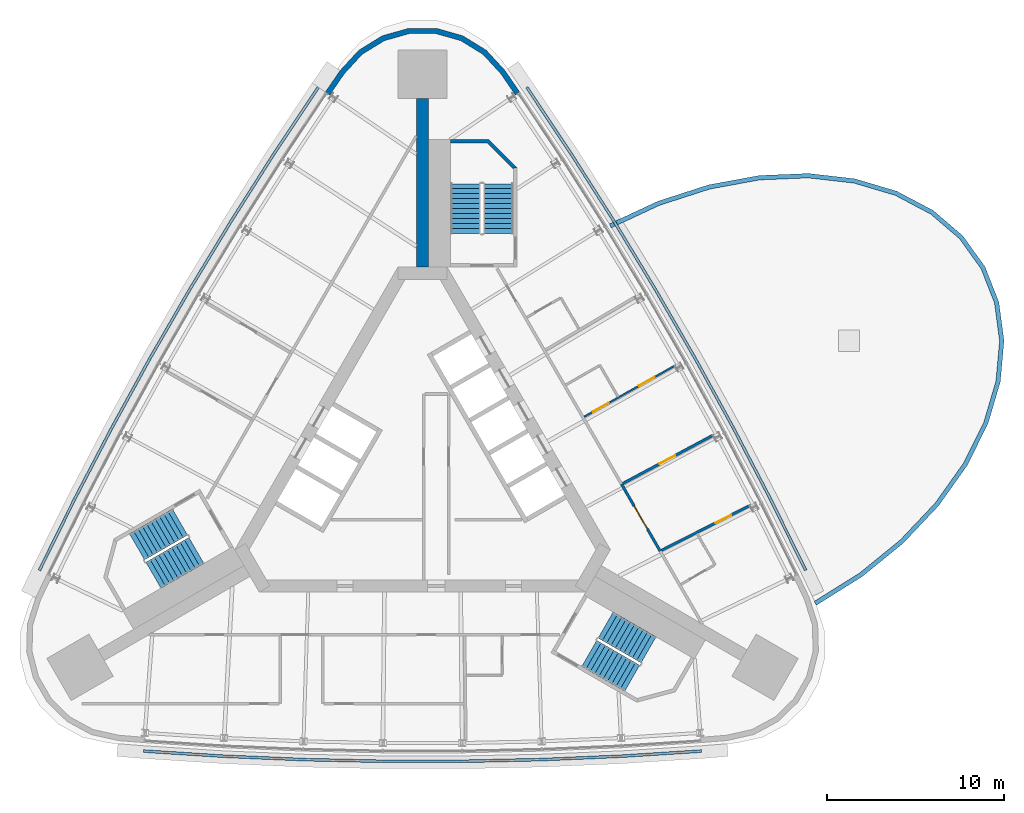
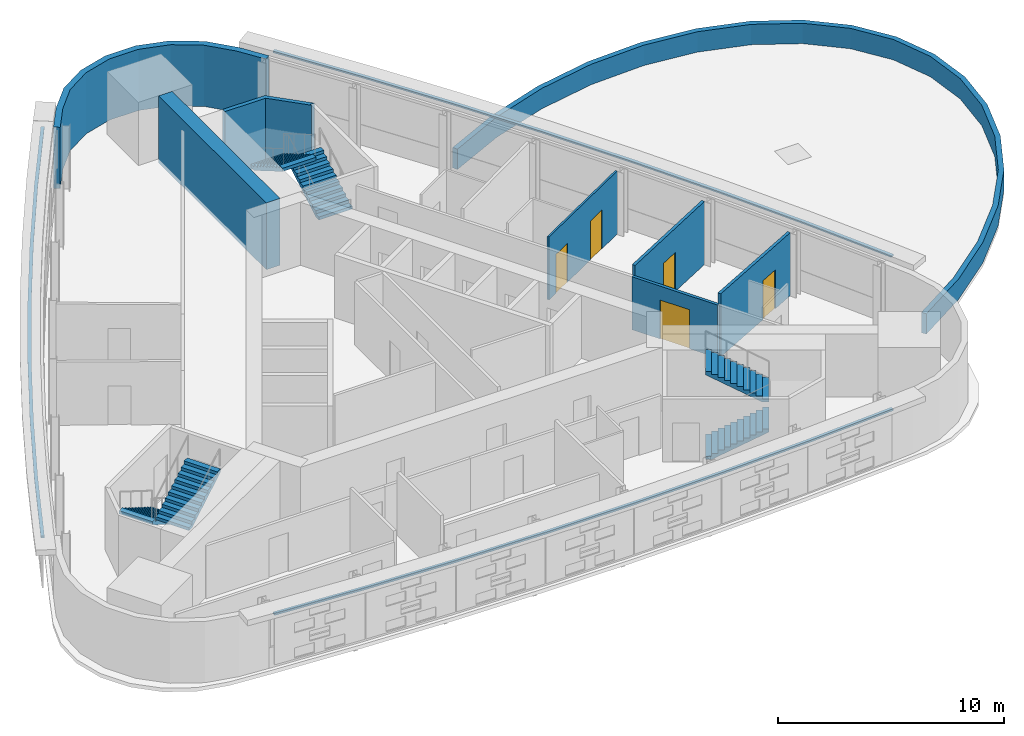
# One storey, part 10 of 12: 8 walls, 6 stair flights, 5 doors, 3 discrete accessories, 5 openings, 3 elements without a shape of their own.
"""IFC4 building model written with IfcOpenShell, lengths in metres."""

from ifc_helpers import new_model, si_unit, direction, frame, frame_2d, origin, place, context, subcontext, project, spatial, polyline, rectangle, outline, extrude, material, layer, layer_set, type_object, element, fill, aggregate, save


model = new_model("IFC4")

# Units and contexts
model_context = context("Model", 3, precision=1e-05, world=origin(), true_north=direction((0.0, 1.0)))
body_context = subcontext(model_context, "Body", "Model", "MODEL_VIEW")
ifc_project = project(units=[si_unit("LENGTHUNIT", "METRE"), si_unit("AREAUNIT", "SQUARE_METRE"), si_unit("VOLUMEUNIT", "CUBIC_METRE"), si_unit("PLANEANGLEUNIT", "RADIAN"), si_unit("MASSUNIT", "GRAM", prefix="KILO")], contexts=[model_context])

# Site, building, storey
site_placement = place(None, origin())
site = spatial("IfcSite", under=ifc_project, at=site_placement, CompositionType="ELEMENT")
building_placement = place(site_placement, origin())
building = spatial("IfcBuilding", under=site, at=building_placement, Name="Noor Cloister Tower", CompositionType="ELEMENT")
storey_placement = place(building_placement, frame((0.0, 0.0, 185.10009765625)))
storey = spatial("IfcBuildingStorey", under=building, at=storey_placement, Name="L47", CompositionType="ELEMENT", Elevation=185.10009765625)

# Wall
ifc_material_1 = material(Name="Concrete C70/85", Category="concrete")
ifc_layer_1 = layer(ifc_material_1, 0.699951171875)
ifc_layer_set_1 = layer_set([ifc_layer_1], Name="Buttress wall 700 C70/85")
wall_type_1 = type_object("IfcWallType", Name="Buttress wall 700 C70/85", PredefinedType="SHEAR", material=ifc_layer_set_1)
wall_1_placement = place(storey_placement, frame((0.0, 11.456298828125, -0.2001953125), z_axis=(0.0, 0.0, 1.0), x_axis=(0.0, 1.0, 0.0)))
element("IfcWall", 1, at=wall_1_placement, inside=storey, type_object=wall_type_1, Name="Buttress wall N L47", PredefinedType="SHEAR", context=body_context, shape_type="SweptSolid", body=[
    extrude(rectangle(XDim=9.521728515625, YDim=0.699951171875, at=frame_2d((4.7607421875, 0.0))), origin(), (0.0, 0.0, 1.0), 3.60009765625),
])

# Wall, opening, door
ifc_material_2 = material(Name="Gypsum board partition on steel studs, 150 mm", Category="steel")
ifc_layer_2 = layer(ifc_material_2, 0.14990234375)
ifc_layer_set_2 = layer_set([ifc_layer_2], Name="Flat wall 150")
wall_type_2 = type_object("IfcWallType", Name="Flat wall 150", PredefinedType="PARTITIONING", material=ifc_layer_set_2)
wall_2_placement = place(storey_placement, frame((18.517822265625, -2.01904296875, 0.0), z_axis=(0.0, 0.0, 1.0), x_axis=(-0.891548029597, -0.452926164978, 0.0)))
wall_2 = element("IfcWall", 2, at=wall_2_placement, inside=storey, type_object=wall_type_2, Name="Wall L47-W03", PredefinedType="PARTITIONING", context=body_context, shape_type="SweptSolid", body=[
    extrude(rectangle(XDim=5.63232421875, YDim=0.14990234375, at=frame_2d((2.816162109375, 0.0))), origin(), (0.0, 0.0, 1.0), 3.39990234375),
])
opening_1_placement = place(wall_2_placement, frame((1.201904296875, 0.0, 0.0)))
opening_1 = element("IfcOpeningElement", 3, at=opening_1_placement, cuts=wall_2, Name="Opening L47-003", PredefinedType="OPENING", context=body_context, shape_type="SweptSolid", body=[
    extrude(rectangle(XDim=1.0, YDim=2.10009765625, at=frame_2d((0.5, 1.050048828125))), frame((0.0, 0.0849609375, 0.0), z_axis=(0.0, -1.0, 0.0), x_axis=(1.0, 0.0, 0.0)), (0.0, 0.0, 1.0), 0.169921875),
])
ifc_material_3 = material(Name="Timber door leaf with steel frame", Category="steel")
door_type_1 = type_object("IfcDoorType", Name="Flat entrance door 1000", OperationType="NOTDEFINED", PredefinedType="DOOR", material=ifc_material_3)
door_1_placement = place(opening_1_placement, origin())
door_1 = element("IfcDoor", 4, at=door_1_placement, inside=storey, type_object=door_type_1, Name="Door L47-003", OperationType="SINGLE_SWING_LEFT", OverallHeight=2.10009765625, OverallWidth=1.0, PredefinedType="DOOR", context=body_context, shape_type="SweptSolid", body=[
    extrude(rectangle(XDim=1.0, YDim=2.10009765625, at=frame_2d((0.5, 1.050048828125))), frame((0.0, 0.02490234375, 0.0), z_axis=(0.0, -1.0, 0.0), x_axis=(1.0, 0.0, 0.0)), (0.0, 0.0, 1.0), 0.050048828125),
])
fill(opening_1, door_1)

wall_3_placement = place(storey_placement, frame((16.43994140625, 1.95556640625, 0.0), z_axis=(0.0, 0.0, 1.0), x_axis=(-0.881627849584, -0.471945266783, 0.0)))
wall_3 = element("IfcWall", 5, at=wall_3_placement, inside=storey, type_object=wall_type_2, Name="Wall L47-W04", PredefinedType="PARTITIONING", context=body_context, shape_type="SweptSolid", body=[
    extrude(rectangle(XDim=5.81494140625, YDim=0.14990234375, at=frame_2d((2.907470703125, 0.0))), origin(), (0.0, 0.0, 1.0), 3.39990234375),
])
opening_2_placement = place(wall_3_placement, frame((2.445068359375, 0.0, 0.0)))
opening_2 = element("IfcOpeningElement", 6, at=opening_2_placement, cuts=wall_3, Name="Opening L47-006", PredefinedType="OPENING", context=body_context, shape_type="SweptSolid", body=[
    extrude(rectangle(XDim=1.0, YDim=2.10009765625, at=frame_2d((0.5, 1.050048828125))), frame((0.0, 0.0849609375, 0.0), z_axis=(0.0, -1.0, 0.0), x_axis=(1.0, 0.0, 0.0)), (0.0, 0.0, 1.0), 0.169921875),
])
door_2_placement = place(opening_2_placement, origin())
door_2 = element("IfcDoor", 7, at=door_2_placement, inside=storey, type_object=door_type_1, Name="Door L47-006", OperationType="SINGLE_SWING_RIGHT", OverallHeight=2.10009765625, OverallWidth=1.0, PredefinedType="DOOR", context=body_context, shape_type="SweptSolid", body=[
    extrude(rectangle(XDim=1.0, YDim=2.10009765625, at=frame_2d((0.5, 1.050048828125))), frame((0.0, 0.02490234375, 0.0), z_axis=(0.0, -1.0, 0.0), x_axis=(1.0, 0.0, 0.0)), (0.0, 0.0, 1.0), 0.050048828125),
])
fill(opening_2, door_2)

wall_4_placement = place(storey_placement, frame((13.429443359375, -4.604248046875, 0.0), z_axis=(0.0, 0.0, 1.0), x_axis=(-0.499995208485, 0.866028170149, 0.0)))
wall_4 = element("IfcWall", 8, at=wall_4_placement, inside=storey, type_object=wall_type_2, Name="Wall L47-W05", PredefinedType="PARTITIONING", context=body_context, shape_type="SweptSolid", body=[
    extrude(rectangle(XDim=4.36474609375, YDim=0.14990234375, at=frame_2d((2.182373046875, 0.0))), origin(), (0.0, 0.0, 1.0), 2.851806640625),
])
opening_3_placement = place(wall_4_placement, frame((1.432373046875, 0.0, 0.0)))
opening_3 = element("IfcOpeningElement", 9, at=opening_3_placement, cuts=wall_4, Name="Opening L47-001", PredefinedType="OPENING", context=body_context, shape_type="SweptSolid", body=[
    extrude(rectangle(XDim=1.5, YDim=2.10009765625, at=frame_2d((0.75, 1.050048828125))), frame((0.0, 0.0849609375, 0.0), z_axis=(0.0, -1.0, 0.0), x_axis=(1.0, 0.0, 0.0)), (0.0, 0.0, 1.0), 0.169921875),
])
ifc_material_4 = material(Name="Timber door leaf with steel frame", Category="steel")
door_type_2 = type_object("IfcDoorType", Name="Double door 1500 FD60", OperationType="NOTDEFINED", PredefinedType="DOOR", material=ifc_material_4)
door_3_placement = place(opening_3_placement, origin())
door_3 = element("IfcDoor", 10, at=door_3_placement, inside=storey, type_object=door_type_2, Name="Door L47-001", OperationType="DOUBLE_DOOR_SINGLE_SWING", OverallHeight=2.10009765625, OverallWidth=1.5, PredefinedType="DOOR", context=body_context, shape_type="SweptSolid", body=[
    extrude(rectangle(XDim=1.5, YDim=2.10009765625, at=frame_2d((0.75, 1.050048828125))), frame((0.0, 0.02490234375, 0.0), z_axis=(0.0, -1.0, 0.0), x_axis=(1.0, 0.0, 0.0)), (0.0, 0.0, 1.0), 0.050048828125),
])
fill(opening_3, door_3)

# Walls
ifc_material_5 = material(Name="Limestone", Category="masonry")
ifc_layer_3 = layer(ifc_material_5, 0.300048828125)
ifc_layer_set_3 = layer_set([ifc_layer_3], Name="Limestone cladding 300")
wall_type_3 = type_object("IfcWallType", Name="Limestone cladding 300", PredefinedType="NOTDEFINED", material=ifc_layer_set_3)
wall_5_placement = place(storey_placement, origin())
element("IfcWall", 11, at=wall_5_placement, inside=storey, type_object=wall_type_3, Name="Limestone pier cladding L47 3.1", PredefinedType="NOTDEFINED", context=body_context, shape_type="SweptSolid", body=[
    extrude(outline(polyline([(5.494384765625, 21.341552734375), (4.659423828125, 22.556884765625), (3.60498046875, 23.70361328125), (2.278076171875, 24.52001953125), (0.779052734375, 24.9443359375), (-0.779052734375, 24.9443359375), (-2.278076171875, 24.52001953125), (-3.60498046875, 23.70361328125), (-4.659423828125, 22.556884765625), (-5.494384765625, 21.341552734375), (-5.2470703125, 21.171875), (-4.424072265625, 22.369384765625), (-3.412353515625, 23.469970703125), (-2.15625, 24.24267578125), (-0.7373046875, 24.644287109375), (0.7373046875, 24.644287109375), (2.15625, 24.24267578125), (3.412353515625, 23.469970703125), (4.424072265625, 22.369384765625), (5.2470703125, 21.171875), (5.494384765625, 21.341552734375)])), origin(), (0.0, 0.0, 1.0), 3.2998046875),
])
ifc_material_6 = material(Name="Limestone", Category="masonry")
ifc_layer_4 = layer(ifc_material_6, 0.25)
ifc_layer_set_4 = layer_set([ifc_layer_4], Name="Limestone parapet 250")
wall_type_4 = type_object("IfcWallType", Name="Limestone parapet 250", PredefinedType="PARAPET", material=ifc_layer_set_4)
wall_6_placement = place(storey_placement, origin())
element("IfcWall", 12, at=wall_6_placement, inside=storey, type_object=wall_type_4, Name="Sky bar 3 roof parapet", PredefinedType="PARAPET", context=body_context, shape_type="SweptSolid", body=[
    extrude(outline(polyline([(22.264892578125, -7.662353515625), (24.84619140625, -6.048095703125), (27.17138671875, -4.155517578125), (29.16943359375, -2.0419921875), (30.780029296875, 0.22802734375), (31.953857421875, 2.5859375), (32.65576171875, 4.959716796875), (32.86376953125, 7.27734375), (32.572021484375, 9.468505859375), (31.7890625, 11.466552734375), (30.5390625, 13.210693359375), (28.85986328125, 14.648193359375), (26.80224609375, 15.735107421875), (24.428955078125, 16.4384765625), (21.81201171875, 16.737060546875), (19.03125, 16.62158203125), (16.170654296875, 16.095947265625), (13.3173828125, 15.175537109375), (10.55810546875, 13.888671875), (10.663818359375, 13.662109375), (13.408935546875, 14.9423828125), (16.23193359375, 15.85302734375), (19.05908203125, 16.37255859375), (21.802978515625, 16.486572265625), (24.37890625, 16.192626953125), (26.70751953125, 15.50244140625), (28.718505859375, 14.440185546875), (30.353515625, 13.04052734375), (31.56787109375, 11.34619140625), (32.328125, 9.405517578125), (32.6123046875, 7.27197265625), (32.408935546875, 5.0068359375), (31.720458984375, 2.677734375), (30.56494140625, 0.35693359375), (28.975830078125, -1.883056640625), (27.0009765625, -3.971923828125), (24.700439453125, -5.84423828125), (22.13232421875, -7.4501953125), (22.264892578125, -7.662353515625)])), origin(), (0.0, 0.0, 1.0), 1.099853515625),
])

# Wall, openings, doors
ifc_material_7 = material(Name="Gypsum board partition on steel studs, 100 mm", Category="steel")
ifc_layer_5 = layer(ifc_material_7, 0.10009765625)
ifc_layer_set_5 = layer_set([ifc_layer_5], Name="Partition 100")
wall_type_5 = type_object("IfcWallType", Name="Partition 100", PredefinedType="PARTITIONING", material=ifc_layer_set_5)
wall_7_placement = place(storey_placement, frame((14.27734375, 5.884521484375, 0.0), z_axis=(0.0, 0.0, 1.0), x_axis=(-0.871335785584, -0.490687220907, 0.0)))
wall_7 = element("IfcWall", 13, at=wall_7_placement, inside=storey, type_object=wall_type_5, Name="Wall L47-W08", PredefinedType="PARTITIONING", context=body_context, shape_type="SweptSolid", body=[
    extrude(rectangle(XDim=5.90380859375, YDim=0.10009765625, at=frame_2d((2.951904296875, 0.0))), origin(), (0.0, 0.0, 1.0), 3.39990234375),
])
opening_4_placement = place(wall_7_placement, frame((1.33935546875, 0.0, 0.0)))
opening_4 = element("IfcOpeningElement", 14, at=opening_4_placement, cuts=wall_7, Name="Opening L47-004", PredefinedType="OPENING", context=body_context, shape_type="SweptSolid", body=[
    extrude(rectangle(XDim=1.0, YDim=2.10009765625, at=frame_2d((0.5, 1.050048828125))), frame((0.0, 0.06005859375, 0.0), z_axis=(0.0, -1.0, 0.0), x_axis=(1.0, 0.0, 0.0)), (0.0, 0.0, 1.0), 0.1201171875),
])
opening_5_placement = place(wall_7_placement, frame((4.328857421875, 0.0, 0.0)))
opening_5 = element("IfcOpeningElement", 15, at=opening_5_placement, cuts=wall_7, Name="Opening L47-005", PredefinedType="OPENING", context=body_context, shape_type="SweptSolid", body=[
    extrude(rectangle(XDim=1.0, YDim=2.10009765625, at=frame_2d((0.5, 1.050048828125))), frame((0.0, 0.06005859375, 0.0), z_axis=(0.0, -1.0, 0.0), x_axis=(1.0, 0.0, 0.0)), (0.0, 0.0, 1.0), 0.1201171875),
])
ifc_material_8 = material(Name="Timber door leaf with steel frame", Category="steel")
door_type_3 = type_object("IfcDoorType", Name="Interior door 1000", OperationType="NOTDEFINED", PredefinedType="DOOR", material=ifc_material_8)
door_4_placement = place(opening_4_placement, origin())
door_4 = element("IfcDoor", 16, at=door_4_placement, inside=storey, type_object=door_type_3, Name="Door L47-004", OperationType="SINGLE_SWING_RIGHT", OverallHeight=2.10009765625, OverallWidth=1.0, PredefinedType="DOOR", context=body_context, shape_type="SweptSolid", body=[
    extrude(rectangle(XDim=1.0, YDim=2.10009765625, at=frame_2d((0.5, 1.050048828125))), frame((0.0, 0.02490234375, 0.0), z_axis=(0.0, -1.0, 0.0), x_axis=(1.0, 0.0, 0.0)), (0.0, 0.0, 1.0), 0.050048828125),
])
fill(opening_4, door_4)
door_5_placement = place(opening_5_placement, origin())
door_5 = element("IfcDoor", 17, at=door_5_placement, inside=storey, type_object=door_type_3, Name="Door L47-005", OperationType="SINGLE_SWING_LEFT", OverallHeight=2.10009765625, OverallWidth=1.0, PredefinedType="DOOR", context=body_context, shape_type="SweptSolid", body=[
    extrude(rectangle(XDim=1.0, YDim=2.10009765625, at=frame_2d((0.5, 1.050048828125))), frame((0.0, 0.02490234375, 0.0), z_axis=(0.0, -1.0, 0.0), x_axis=(1.0, 0.0, 0.0)), (0.0, 0.0, 1.0), 0.050048828125),
])
fill(opening_5, door_5)

# Wall
ifc_material_9 = material(Name="Concrete C70/85", Category="concrete")
wall_type_6 = type_object("IfcWallType", Name="Stair far end wall C70/85", PredefinedType="SHEAR", material=ifc_material_9)
wall_8_placement = place(storey_placement, frame((0.0, 0.0, -0.2001953125)))
element("IfcWall", 18, at=wall_8_placement, inside=storey, type_object=wall_type_6, Name="Stair enclosure wall ST1 L47 far end", PredefinedType="SHEAR", context=body_context, shape_type="SweptSolid", body=[
    extrude(outline(polyline([(5.335693359375, 17.056396484375), (3.735595703125, 18.656494140625), (1.585693359375, 18.656494140625), (1.585693359375, 18.456298828125), (3.65283203125, 18.456298828125), (5.135498046875, 16.9736328125), (5.135498046875, 17.056396484375), (5.135498046875, 17.056396484375), (5.135498046875, 17.056396484375), (5.135498046875, 17.056396484375), (5.135498046875, 17.056396484375), (5.135498046875, 17.056396484375), (5.135498046875, 17.056396484375), (5.135498046875, 17.056396484375), (5.135498046875, 17.056396484375), (5.135498046875, 17.056396484375), (5.135498046875, 17.056396484375), (5.135498046875, 17.056396484375), (5.135498046875, 17.056396484375), (5.135498046875, 17.056396484375), (5.135498046875, 17.056396484375), (5.135498046875, 17.056396484375), (5.135498046875, 17.056396484375), (5.335693359375, 17.056396484375)])), origin(), (0.0, 0.0, 1.0), 3.60009765625),
])

# Stair, stair flights
ifc_material_10 = material(Name="Concrete C40/50", Category="concrete")
stair_type = type_object("IfcStairType", Name="Exit stair 22 risers", PredefinedType="HALF_TURN_STAIR", material=ifc_material_10)
stair_1_placement = place(storey_placement, origin())
stair_1 = element("IfcStair", 19, at=stair_1_placement, inside=storey, type_object=stair_type, Name="Exit stair ST1 L47", PredefinedType="HALF_TURN_STAIR")
ifc_material_11 = material(Name="Concrete C40/50", Category="concrete")
stair_flight_type = type_object("IfcStairFlightType", Name="Exit stair flight", PredefinedType="STRAIGHT", material=ifc_material_11)
stair_flight_1_placement = place(storey_placement, frame((4.28564453125, 13.3564453125, 0.0), z_axis=(0.0, 0.0, 1.0), x_axis=(0.0, 1.0, 0.0)))
stair_flight_1 = element("IfcStairFlight", 20, at=stair_flight_1_placement, type_object=stair_flight_type, Name="ST1 flight 1", NumberOfRisers=11, NumberOfTreads=10, PredefinedType="STRAIGHT", RiserHeight=0.163636364, TreadLength=0.28, context=body_context, shape_type="SweptSolid", body=[
    extrude(outline(polyline([(0.0, 0.0), (0.0, 0.16357421875), (0.280029296875, 0.16357421875), (0.280029296875, 0.327392578125), (0.56005859375, 0.327392578125), (0.56005859375, 0.490966796875), (0.840087890625, 0.490966796875), (0.840087890625, 0.654541015625), (1.1201171875, 0.654541015625), (1.1201171875, 0.818115234375), (1.39990234375, 0.818115234375), (1.39990234375, 0.98193359375), (1.679931640625, 0.98193359375), (1.679931640625, 1.1455078125), (1.9599609375, 1.1455078125), (1.9599609375, 1.30908203125), (2.239990234375, 1.30908203125), (2.239990234375, 1.47265625), (2.52001953125, 1.47265625), (2.52001953125, 1.636474609375), (2.800048828125, 1.636474609375), (2.800048828125, 1.800048828125), (2.800048828125, 1.462646484375), (0.297119140625, 0.0), (0.0, 0.0)])), frame((0.0, 0.85009765625, 0.0), z_axis=(0.0, -1.0, 0.0), x_axis=(1.0, 0.0, 0.0)), (0.0, 0.0, 1.0), 1.699951171875),
])
stair_flight_2_placement = place(storey_placement, frame((2.435546875, 16.156494140625, 1.7998046875), z_axis=(0.0, 0.0, 1.0), x_axis=(0.0, -1.0, 0.0)))
stair_flight_2 = element("IfcStairFlight", 21, at=stair_flight_2_placement, type_object=stair_flight_type, Name="ST1 flight 2", NumberOfRisers=11, NumberOfTreads=10, PredefinedType="STRAIGHT", RiserHeight=0.163636364, TreadLength=0.28, context=body_context, shape_type="SweptSolid", body=[
    extrude(outline(polyline([(0.0, 0.0), (0.0, 0.16357421875), (0.280029296875, 0.16357421875), (0.280029296875, 0.327392578125), (0.56005859375, 0.327392578125), (0.56005859375, 0.490966796875), (0.840087890625, 0.490966796875), (0.840087890625, 0.654541015625), (1.1201171875, 0.654541015625), (1.1201171875, 0.818115234375), (1.39990234375, 0.818115234375), (1.39990234375, 0.98193359375), (1.679931640625, 0.98193359375), (1.679931640625, 1.1455078125), (1.9599609375, 1.1455078125), (1.9599609375, 1.30908203125), (2.239990234375, 1.30908203125), (2.239990234375, 1.47265625), (2.52001953125, 1.47265625), (2.52001953125, 1.636474609375), (2.800048828125, 1.636474609375), (2.800048828125, 1.800048828125), (2.800048828125, 1.462646484375), (0.297119140625, 0.0), (0.0, 0.0)])), frame((0.0, 0.85009765625, 0.0), z_axis=(0.0, -1.0, 0.0), x_axis=(1.0, 0.0, 0.0)), (0.0, 0.0, 1.0), 1.699951171875),
])
aggregate(stair_1, [stair_flight_1, stair_flight_2])

stair_2_placement = place(storey_placement, origin())
stair_2 = element("IfcStair", 22, at=stair_2_placement, inside=storey, type_object=stair_type, Name="Exit stair ST2 L47", PredefinedType="HALF_TURN_STAIR")
stair_flight_3_placement = place(storey_placement, frame((-13.709716796875, -2.966796875, 0.0), z_axis=(0.0, 0.0, 1.0), x_axis=(-0.866025403784, -0.5, 0.0)))
stair_flight_3 = element("IfcStairFlight", 23, at=stair_flight_3_placement, type_object=stair_flight_type, Name="ST2 flight 1", NumberOfRisers=11, NumberOfTreads=10, PredefinedType="STRAIGHT", RiserHeight=0.163636364, TreadLength=0.28, context=body_context, shape_type="SweptSolid", body=[
    extrude(outline(polyline([(0.0, 0.0), (0.0, 0.16357421875), (0.280029296875, 0.16357421875), (0.280029296875, 0.327392578125), (0.56005859375, 0.327392578125), (0.56005859375, 0.490966796875), (0.840087890625, 0.490966796875), (0.840087890625, 0.654541015625), (1.1201171875, 0.654541015625), (1.1201171875, 0.818115234375), (1.39990234375, 0.818115234375), (1.39990234375, 0.98193359375), (1.679931640625, 0.98193359375), (1.679931640625, 1.1455078125), (1.9599609375, 1.1455078125), (1.9599609375, 1.30908203125), (2.239990234375, 1.30908203125), (2.239990234375, 1.47265625), (2.52001953125, 1.47265625), (2.52001953125, 1.636474609375), (2.800048828125, 1.636474609375), (2.800048828125, 1.800048828125), (2.800048828125, 1.462646484375), (0.297119140625, 0.0), (0.0, 0.0)])), frame((0.0, 0.85009765625, 0.0), z_axis=(0.0, -1.0, 0.0), x_axis=(1.0, 0.0, 0.0)), (0.0, 0.0, 1.0), 1.699951171875),
])
stair_flight_4_placement = place(storey_placement, frame((-15.209716796875, -5.968994140625, 1.7998046875), z_axis=(0.0, 0.0, 1.0), x_axis=(0.866025403784, 0.5, 0.0)))
stair_flight_4 = element("IfcStairFlight", 24, at=stair_flight_4_placement, type_object=stair_flight_type, Name="ST2 flight 2", NumberOfRisers=11, NumberOfTreads=10, PredefinedType="STRAIGHT", RiserHeight=0.163636364, TreadLength=0.28, context=body_context, shape_type="SweptSolid", body=[
    extrude(outline(polyline([(0.0, 0.0), (0.0, 0.16357421875), (0.280029296875, 0.16357421875), (0.280029296875, 0.327392578125), (0.56005859375, 0.327392578125), (0.56005859375, 0.490966796875), (0.840087890625, 0.490966796875), (0.840087890625, 0.654541015625), (1.1201171875, 0.654541015625), (1.1201171875, 0.818115234375), (1.39990234375, 0.818115234375), (1.39990234375, 0.98193359375), (1.679931640625, 0.98193359375), (1.679931640625, 1.1455078125), (1.9599609375, 1.1455078125), (1.9599609375, 1.30908203125), (2.239990234375, 1.30908203125), (2.239990234375, 1.47265625), (2.52001953125, 1.47265625), (2.52001953125, 1.636474609375), (2.800048828125, 1.636474609375), (2.800048828125, 1.800048828125), (2.800048828125, 1.462646484375), (0.297119140625, 0.0), (0.0, 0.0)])), frame((0.0, 0.85009765625, 0.0), z_axis=(0.0, -1.0, 0.0), x_axis=(1.0, 0.0, 0.0)), (0.0, 0.0, 1.0), 1.699951171875),
])
aggregate(stair_2, [stair_flight_3, stair_flight_4])

stair_3_placement = place(storey_placement, origin())
stair_3 = element("IfcStair", 25, at=stair_3_placement, inside=storey, type_object=stair_type, Name="Exit stair ST3 L47", PredefinedType="HALF_TURN_STAIR")
stair_flight_5_placement = place(storey_placement, frame((9.424072265625, -10.3896484375, 0.0), z_axis=(0.0, 0.0, 1.0), x_axis=(0.866025403784, -0.5, 0.0)))
stair_flight_5 = element("IfcStairFlight", 26, at=stair_flight_5_placement, type_object=stair_flight_type, Name="ST3 flight 1", NumberOfRisers=11, NumberOfTreads=10, PredefinedType="STRAIGHT", RiserHeight=0.163636364, TreadLength=0.28, context=body_context, shape_type="SweptSolid", body=[
    extrude(outline(polyline([(0.0, 0.0), (0.0, 0.16357421875), (0.280029296875, 0.16357421875), (0.280029296875, 0.327392578125), (0.56005859375, 0.327392578125), (0.56005859375, 0.490966796875), (0.840087890625, 0.490966796875), (0.840087890625, 0.654541015625), (1.1201171875, 0.654541015625), (1.1201171875, 0.818115234375), (1.39990234375, 0.818115234375), (1.39990234375, 0.98193359375), (1.679931640625, 0.98193359375), (1.679931640625, 1.1455078125), (1.9599609375, 1.1455078125), (1.9599609375, 1.30908203125), (2.239990234375, 1.30908203125), (2.239990234375, 1.47265625), (2.52001953125, 1.47265625), (2.52001953125, 1.636474609375), (2.800048828125, 1.636474609375), (2.800048828125, 1.800048828125), (2.800048828125, 1.462646484375), (0.297119140625, 0.0), (0.0, 0.0)])), frame((0.0, 0.85009765625, 0.0), z_axis=(0.0, -1.0, 0.0), x_axis=(1.0, 0.0, 0.0)), (0.0, 0.0, 1.0), 1.699951171875),
])
stair_flight_6_placement = place(storey_placement, frame((12.77392578125, -10.1875, 1.7998046875), z_axis=(0.0, 0.0, 1.0), x_axis=(-0.866025403784, 0.5, 0.0)))
stair_flight_6 = element("IfcStairFlight", 27, at=stair_flight_6_placement, type_object=stair_flight_type, Name="ST3 flight 2", NumberOfRisers=11, NumberOfTreads=10, PredefinedType="STRAIGHT", RiserHeight=0.163636364, TreadLength=0.28, context=body_context, shape_type="SweptSolid", body=[
    extrude(outline(polyline([(0.0, 0.0), (0.0, 0.16357421875), (0.280029296875, 0.16357421875), (0.280029296875, 0.327392578125), (0.56005859375, 0.327392578125), (0.56005859375, 0.490966796875), (0.840087890625, 0.490966796875), (0.840087890625, 0.654541015625), (1.1201171875, 0.654541015625), (1.1201171875, 0.818115234375), (1.39990234375, 0.818115234375), (1.39990234375, 0.98193359375), (1.679931640625, 0.98193359375), (1.679931640625, 1.1455078125), (1.9599609375, 1.1455078125), (1.9599609375, 1.30908203125), (2.239990234375, 1.30908203125), (2.239990234375, 1.47265625), (2.52001953125, 1.47265625), (2.52001953125, 1.636474609375), (2.800048828125, 1.636474609375), (2.800048828125, 1.800048828125), (2.800048828125, 1.462646484375), (0.297119140625, 0.0), (0.0, 0.0)])), frame((0.0, 0.85009765625, 0.0), z_axis=(0.0, -1.0, 0.0), x_axis=(1.0, 0.0, 0.0)), (0.0, 0.0, 1.0), 1.699951171875),
])
aggregate(stair_3, [stair_flight_5, stair_flight_6])

# Discrete accessories
ifc_material_12 = material(Name="Stainless steel grade 316", Category="steel")
discrete_accessory_type = type_object("IfcDiscreteAccessoryType", Name="Stainless hanger rail", PredefinedType="BRACKET", material=ifc_material_12)
discrete_accessory_1_placement = place(storey_placement, frame((0.0, 0.0, 3.199951171875)))
element("IfcDiscreteAccessory", 28, at=discrete_accessory_1_placement, inside=storey, type_object=discrete_accessory_type, Name="Hanger rail L47", PredefinedType="BRACKET", context=body_context, shape_type="SweptSolid", body=[
    extrude(outline(polyline([(-5.960205078125, 21.652099609375), (-8.458984375, 17.902587890625), (-10.880126953125, 14.095458984375), (-13.21923828125, 10.237060546875), (-15.475341796875, 6.32958984375), (-17.64697265625, 2.374755859375), (-19.733642578125, -1.62548828125), (-21.7314453125, -5.664306640625), (-21.588134765625, -5.7353515625), (-19.591064453125, -1.697998046875), (-17.505859375, 2.29931640625), (-15.3359375, 6.251220703125), (-13.08154296875, 10.155517578125), (-10.744384765625, 14.010986328125), (-8.324951171875, 17.8154296875), (-5.8271484375, 21.5634765625), (-5.960205078125, 21.652099609375)])), origin(), (0.0, 0.0, 1.0), 0.099853515625),
])
discrete_accessory_2_placement = place(storey_placement, frame((0.0, 0.0, 3.199951171875)))
element("IfcDiscreteAccessory", 29, at=discrete_accessory_2_placement, inside=storey, type_object=discrete_accessory_type, Name="Hanger rail L47", PredefinedType="BRACKET", context=body_context, shape_type="SweptSolid", body=[
    extrude(outline(polyline([(-15.771240234375, -15.98779296875), (-11.274658203125, -16.277099609375), (-6.766845703125, -16.47021484375), (-2.255859375, -16.56689453125), (2.255859375, -16.56689453125), (6.766845703125, -16.47021484375), (11.274658203125, -16.277099609375), (15.771240234375, -15.98779296875), (15.760986328125, -15.828125), (11.26611328125, -16.1171875), (6.76171875, -16.310302734375), (2.254150390625, -16.40673828125), (-2.254150390625, -16.40673828125), (-6.76171875, -16.310302734375), (-11.26611328125, -16.1171875), (-15.760986328125, -15.828125), (-15.771240234375, -15.98779296875)])), origin(), (0.0, 0.0, 1.0), 0.099853515625),
])
discrete_accessory_3_placement = place(storey_placement, frame((0.0, 0.0, 3.199951171875)))
element("IfcDiscreteAccessory", 30, at=discrete_accessory_3_placement, inside=storey, type_object=discrete_accessory_type, Name="Hanger rail L47", PredefinedType="BRACKET", context=body_context, shape_type="SweptSolid", body=[
    extrude(outline(polyline([(21.7314453125, -5.664306640625), (19.733642578125, -1.62548828125), (17.64697265625, 2.374755859375), (15.475341796875, 6.32958984375), (13.21923828125, 10.237060546875), (10.880126953125, 14.095458984375), (8.458984375, 17.902587890625), (5.960205078125, 21.652099609375), (5.8271484375, 21.5634765625), (8.324951171875, 17.8154296875), (10.744384765625, 14.010986328125), (13.08154296875, 10.155517578125), (15.3359375, 6.251220703125), (17.505859375, 2.29931640625), (19.591064453125, -1.697998046875), (21.588134765625, -5.7353515625), (21.7314453125, -5.664306640625)])), origin(), (0.0, 0.0, 1.0), 0.099853515625),
])

save(model, "model.ifc")
